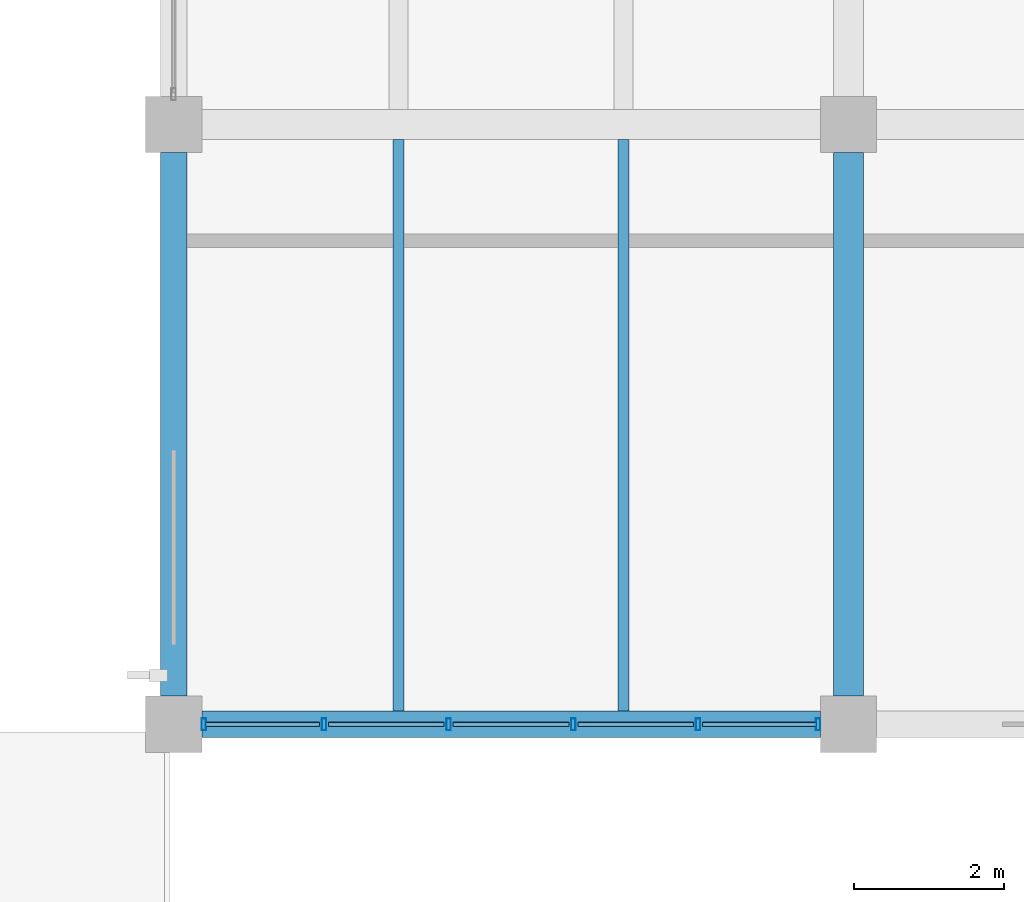
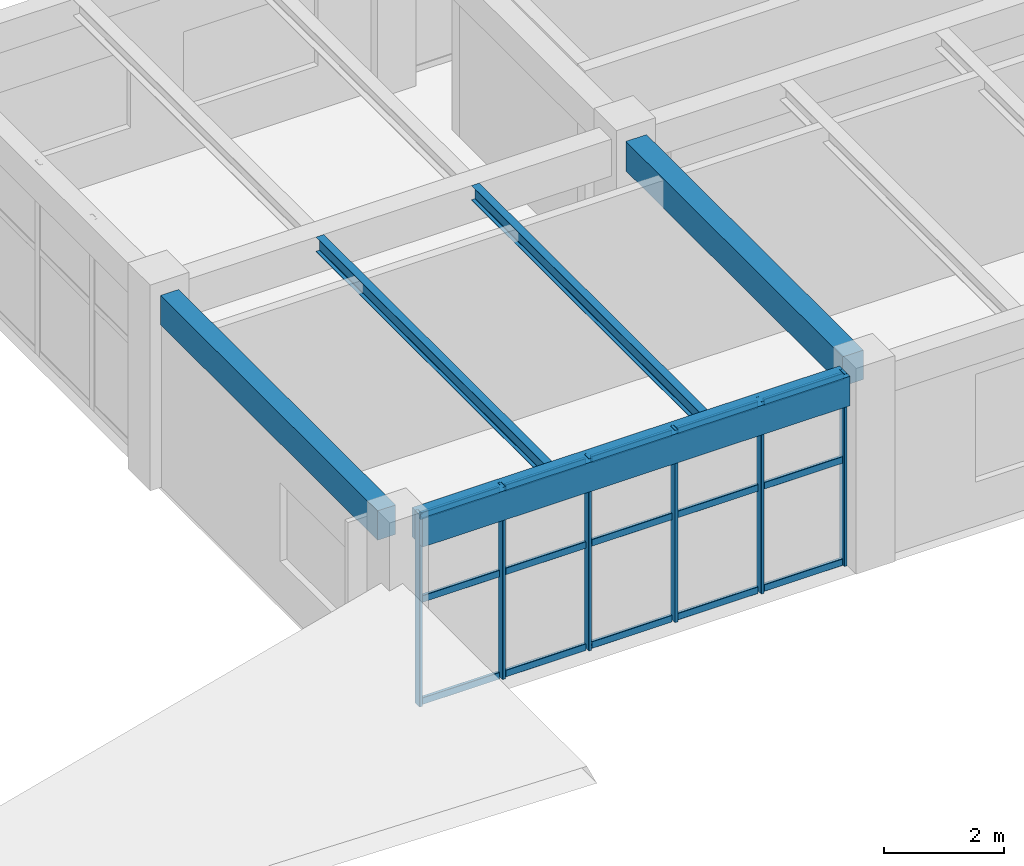
# One storey, part 80 of 148: 21 members, 5 beams, 1 element without a shape of its own.
"""IFC4 building model written with IfcOpenShell, lengths in metres."""

from ifc_helpers import new_model, si_unit, derived_unit, direction, frame, origin, origin_2d, place, context, subcontext, project, spatial, rectangle, hollow_rectangle, i_section, extrude, material, material_profile, profile_set, type_object, element, aggregate, save


model = new_model("IFC4")

# Units and contexts
model_context = context("Model", 3, precision=1e-05, world=origin(), true_north=direction((0.0, 1.0)))
body_context = subcontext(model_context, "Body", "Model", "MODEL_VIEW")
ifc_project = project(units=[si_unit("LENGTHUNIT", "METRE"), si_unit("AREAUNIT", "SQUARE_METRE"), si_unit("VOLUMEUNIT", "CUBIC_METRE"), si_unit("PLANEANGLEUNIT", "RADIAN"), si_unit("MASSUNIT", "GRAM", prefix="KILO"), derived_unit("THERMALTRANSMITTANCEUNIT", [(si_unit("MASSUNIT", "GRAM", prefix="KILO"), 1), (si_unit("TIMEUNIT", "SECOND"), -3), (si_unit("THERMODYNAMICTEMPERATUREUNIT", "KELVIN"), -1)])], contexts=[model_context])

# Site, building, storey
site_placement = place(None, origin())
site = spatial("IfcSite", under=ifc_project, at=site_placement, CompositionType="ELEMENT")
building_placement = place(site_placement, origin())
building = spatial("IfcBuilding", under=site, at=building_placement, Name="Zhenchuan Archway Interchange", CompositionType="ELEMENT")
storey_placement = place(building_placement, frame((0.0, 0.0, 10.199951171875)))
storey = spatial("IfcBuildingStorey", under=building, at=storey_placement, Name="L02", CompositionType="ELEMENT", Elevation=10.199951171875)

# Beam
ifc_material_1 = material(Name="Concrete C40", Category="concrete")
ifc_material_profile_1 = material_profile(ifc_material_1, rectangle(XDim=0.39990234375, YDim=0.60009765625, at=origin_2d()), Name="RC 400x600")
ifc_profile_set_1 = profile_set([ifc_material_profile_1], Name="Concrete C40")
beam_type_1 = type_object("IfcBeamType", Name="BM_RC_400x600", PredefinedType="BEAM", material=ifc_profile_set_1)
beam_1_placement = place(storey_placement, frame((117.0, 88.375, 3.6201171875), z_axis=(0.0, 1.0, 0.0), x_axis=(-1.0, 0.0, 0.0)))
element("IfcBeam", 1, at=beam_1_placement, inside=storey, type_object=beam_type_1, Name="Beam 14:M-N (L02)", PredefinedType="BEAM", context=body_context, shape_type="SweptSolid", body=[
    extrude(rectangle(XDim=0.39990234375, YDim=0.60009765625, at=origin_2d()), origin(), (0.0, 0.0, 1.0), 7.25),
])

# Curtain wall, members
ifc_material_2 = material(Name="Anodised Aluminium", Category="aluminium")
curtain_wall_type = type_object("IfcCurtainWallType", Name="CW_UNIT_3", PredefinedType="NOTDEFINED", material=ifc_material_2)
curtain_wall_placement = place(storey_placement, origin())
curtain_wall = element("IfcCurtainWall", 2, at=curtain_wall_placement, inside=storey, type_object=curtain_wall_type, Name="Unitised curtain wall CW:L02:146", PredefinedType="NOTDEFINED")
ifc_material_profile_2 = material_profile(ifc_material_2, hollow_rectangle(XDim=0.06005859375, YDim=0.159912109375, WallThickness=0.00390625, InnerFilletRadius=0.00390625, OuterFilletRadius=0.008056640625, at=origin_2d()), Name="ALU 160x60x4")
ifc_profile_set_2 = profile_set([ifc_material_profile_2], Name="Anodised Aluminium")
member_type_1 = type_object("IfcMemberType", Name="CW_MUL_150", PredefinedType="MULLION", material=ifc_profile_set_2)
member_1_placement = place(storey_placement, frame((116.596923828125, 88.0, 0.0), z_axis=(0.0, 0.0, 1.0), x_axis=(1.0, 0.0, 0.0)))
member_1 = element("IfcMember", 3, at=member_1_placement, type_object=member_type_1, Name="CW:L02:146 mullion 0", PredefinedType="MULLION", context=body_context, shape_type="SweptSolid", body=[
    extrude(hollow_rectangle(XDim=0.06005859375, YDim=0.159912109375, WallThickness=0.00390625, InnerFilletRadius=0.00390625, OuterFilletRadius=0.008056640625, at=origin_2d()), origin(), (0.0, 0.0, 1.0), 3.920166015625),
])
member_2_placement = place(storey_placement, frame((114.994140625, 88.0, 0.0), z_axis=(0.0, 0.0, 1.0), x_axis=(1.0, 0.0, 0.0)))
member_2 = element("IfcMember", 4, at=member_2_placement, type_object=member_type_1, Name="CW:L02:146 mullion 1", PredefinedType="MULLION", context=body_context, shape_type="SweptSolid", body=[
    extrude(hollow_rectangle(XDim=0.06005859375, YDim=0.159912109375, WallThickness=0.00390625, InnerFilletRadius=0.00390625, OuterFilletRadius=0.008056640625, at=origin_2d()), origin(), (0.0, 0.0, 1.0), 3.920166015625),
])
member_3_placement = place(storey_placement, frame((113.331298828125, 88.0, 0.0), z_axis=(0.0, 0.0, 1.0), x_axis=(1.0, 0.0, 0.0)))
member_3 = element("IfcMember", 5, at=member_3_placement, type_object=member_type_1, Name="CW:L02:146 mullion 2", PredefinedType="MULLION", context=body_context, shape_type="SweptSolid", body=[
    extrude(hollow_rectangle(XDim=0.06005859375, YDim=0.159912109375, WallThickness=0.00390625, InnerFilletRadius=0.00390625, OuterFilletRadius=0.008056640625, at=origin_2d()), origin(), (0.0, 0.0, 1.0), 3.920166015625),
])
member_4_placement = place(storey_placement, frame((111.668701171875, 88.0, 0.0), z_axis=(0.0, 0.0, 1.0), x_axis=(1.0, 0.0, 0.0)))
member_4 = element("IfcMember", 6, at=member_4_placement, type_object=member_type_1, Name="CW:L02:146 mullion 3", PredefinedType="MULLION", context=body_context, shape_type="SweptSolid", body=[
    extrude(hollow_rectangle(XDim=0.06005859375, YDim=0.159912109375, WallThickness=0.00390625, InnerFilletRadius=0.00390625, OuterFilletRadius=0.008056640625, at=origin_2d()), origin(), (0.0, 0.0, 1.0), 3.920166015625),
])
member_5_placement = place(storey_placement, frame((110.005859375, 88.0, 0.0), z_axis=(0.0, 0.0, 1.0), x_axis=(1.0, 0.0, 0.0)))
member_5 = element("IfcMember", 7, at=member_5_placement, type_object=member_type_1, Name="CW:L02:146 mullion 4", PredefinedType="MULLION", context=body_context, shape_type="SweptSolid", body=[
    extrude(hollow_rectangle(XDim=0.06005859375, YDim=0.159912109375, WallThickness=0.00390625, InnerFilletRadius=0.00390625, OuterFilletRadius=0.008056640625, at=origin_2d()), origin(), (0.0, 0.0, 1.0), 3.920166015625),
])
member_6_placement = place(storey_placement, frame((108.403076171875, 88.0, 0.0), z_axis=(0.0, 0.0, 1.0), x_axis=(1.0, 0.0, 0.0)))
member_6 = element("IfcMember", 8, at=member_6_placement, type_object=member_type_1, Name="CW:L02:146 mullion 5", PredefinedType="MULLION", context=body_context, shape_type="SweptSolid", body=[
    extrude(hollow_rectangle(XDim=0.06005859375, YDim=0.159912109375, WallThickness=0.00390625, InnerFilletRadius=0.00390625, OuterFilletRadius=0.008056640625, at=origin_2d()), origin(), (0.0, 0.0, 1.0), 3.920166015625),
])
ifc_material_profile_3 = material_profile(ifc_material_2, hollow_rectangle(XDim=0.06005859375, YDim=0.139892578125, WallThickness=0.00341796875, InnerFilletRadius=0.00341796875, OuterFilletRadius=0.007080078125, at=origin_2d()), Name="ALU 140x60x3.5")
ifc_profile_set_3 = profile_set([ifc_material_profile_3], Name="Anodised Aluminium")
member_type_2 = type_object("IfcMemberType", Name="CW_TRN_140", PredefinedType="USERDEFINED", material=ifc_profile_set_3)
member_7_placement = place(storey_placement, frame((116.576904296875, 88.0, 0.06005859375), z_axis=(-1.0, 0.0, 0.0), x_axis=(0.0, -1.0, 0.0)))
member_7 = element("IfcMember", 9, at=member_7_placement, type_object=member_type_2, Name="CW:L02:146 transom 0-1", ObjectType="TRANSOM", PredefinedType="USERDEFINED", context=body_context, shape_type="SweptSolid", body=[
    extrude(hollow_rectangle(XDim=0.06005859375, YDim=0.139892578125, WallThickness=0.00341796875, InnerFilletRadius=0.00341796875, OuterFilletRadius=0.007080078125, at=origin_2d()), origin(), (0.0, 0.0, 1.0), 1.522705078125),
])
member_8_placement = place(storey_placement, frame((116.576904296875, 88.0, 2.14501953125), z_axis=(-1.0, 0.0, 0.0), x_axis=(0.0, -1.0, 0.0)))
member_8 = element("IfcMember", 10, at=member_8_placement, type_object=member_type_2, Name="CW:L02:146 transom 0-2", ObjectType="TRANSOM", PredefinedType="USERDEFINED", context=body_context, shape_type="SweptSolid", body=[
    extrude(hollow_rectangle(XDim=0.06005859375, YDim=0.139892578125, WallThickness=0.00341796875, InnerFilletRadius=0.00341796875, OuterFilletRadius=0.007080078125, at=origin_2d()), origin(), (0.0, 0.0, 1.0), 1.522705078125),
])
member_9_placement = place(storey_placement, frame((116.576904296875, 88.0, 3.840087890625), z_axis=(-1.0, 0.0, 0.0), x_axis=(0.0, -1.0, 0.0)))
member_9 = element("IfcMember", 11, at=member_9_placement, type_object=member_type_2, Name="CW:L02:146 transom 0-3", ObjectType="TRANSOM", PredefinedType="USERDEFINED", context=body_context, shape_type="SweptSolid", body=[
    extrude(hollow_rectangle(XDim=0.06005859375, YDim=0.139892578125, WallThickness=0.00341796875, InnerFilletRadius=0.00341796875, OuterFilletRadius=0.007080078125, at=origin_2d()), origin(), (0.0, 0.0, 1.0), 1.522705078125),
])
member_10_placement = place(storey_placement, frame((114.93408203125, 88.0, 0.06005859375), z_axis=(-1.0, 0.0, 0.0), x_axis=(0.0, -1.0, 0.0)))
member_10 = element("IfcMember", 12, at=member_10_placement, type_object=member_type_2, Name="CW:L02:146 transom 1-1", ObjectType="TRANSOM", PredefinedType="USERDEFINED", context=body_context, shape_type="SweptSolid", body=[
    extrude(hollow_rectangle(XDim=0.06005859375, YDim=0.139892578125, WallThickness=0.00341796875, InnerFilletRadius=0.00341796875, OuterFilletRadius=0.007080078125, at=origin_2d()), origin(), (0.0, 0.0, 1.0), 1.542724609375),
])
member_11_placement = place(storey_placement, frame((114.93408203125, 88.0, 2.14501953125), z_axis=(-1.0, 0.0, 0.0), x_axis=(0.0, -1.0, 0.0)))
member_11 = element("IfcMember", 13, at=member_11_placement, type_object=member_type_2, Name="CW:L02:146 transom 1-2", ObjectType="TRANSOM", PredefinedType="USERDEFINED", context=body_context, shape_type="SweptSolid", body=[
    extrude(hollow_rectangle(XDim=0.06005859375, YDim=0.139892578125, WallThickness=0.00341796875, InnerFilletRadius=0.00341796875, OuterFilletRadius=0.007080078125, at=origin_2d()), origin(), (0.0, 0.0, 1.0), 1.542724609375),
])
member_12_placement = place(storey_placement, frame((114.93408203125, 88.0, 3.840087890625), z_axis=(-1.0, 0.0, 0.0), x_axis=(0.0, -1.0, 0.0)))
member_12 = element("IfcMember", 14, at=member_12_placement, type_object=member_type_2, Name="CW:L02:146 transom 1-3", ObjectType="TRANSOM", PredefinedType="USERDEFINED", context=body_context, shape_type="SweptSolid", body=[
    extrude(hollow_rectangle(XDim=0.06005859375, YDim=0.139892578125, WallThickness=0.00341796875, InnerFilletRadius=0.00341796875, OuterFilletRadius=0.007080078125, at=origin_2d()), origin(), (0.0, 0.0, 1.0), 1.542724609375),
])
member_13_placement = place(storey_placement, frame((113.271484375, 88.0, 0.06005859375), z_axis=(-1.0, 0.0, 0.0), x_axis=(0.0, -1.0, 0.0)))
member_13 = element("IfcMember", 15, at=member_13_placement, type_object=member_type_2, Name="CW:L02:146 transom 2-1", ObjectType="TRANSOM", PredefinedType="USERDEFINED", context=body_context, shape_type="SweptSolid", body=[
    extrude(hollow_rectangle(XDim=0.06005859375, YDim=0.139892578125, WallThickness=0.00341796875, InnerFilletRadius=0.00341796875, OuterFilletRadius=0.007080078125, at=origin_2d()), origin(), (0.0, 0.0, 1.0), 1.54296875),
])
member_14_placement = place(storey_placement, frame((113.271484375, 88.0, 2.14501953125), z_axis=(-1.0, 0.0, 0.0), x_axis=(0.0, -1.0, 0.0)))
member_14 = element("IfcMember", 16, at=member_14_placement, type_object=member_type_2, Name="CW:L02:146 transom 2-2", ObjectType="TRANSOM", PredefinedType="USERDEFINED", context=body_context, shape_type="SweptSolid", body=[
    extrude(hollow_rectangle(XDim=0.06005859375, YDim=0.139892578125, WallThickness=0.00341796875, InnerFilletRadius=0.00341796875, OuterFilletRadius=0.007080078125, at=origin_2d()), origin(), (0.0, 0.0, 1.0), 1.54296875),
])
member_15_placement = place(storey_placement, frame((113.271484375, 88.0, 3.840087890625), z_axis=(-1.0, 0.0, 0.0), x_axis=(0.0, -1.0, 0.0)))
member_15 = element("IfcMember", 17, at=member_15_placement, type_object=member_type_2, Name="CW:L02:146 transom 2-3", ObjectType="TRANSOM", PredefinedType="USERDEFINED", context=body_context, shape_type="SweptSolid", body=[
    extrude(hollow_rectangle(XDim=0.06005859375, YDim=0.139892578125, WallThickness=0.00341796875, InnerFilletRadius=0.00341796875, OuterFilletRadius=0.007080078125, at=origin_2d()), origin(), (0.0, 0.0, 1.0), 1.54296875),
])
member_16_placement = place(storey_placement, frame((111.608642578125, 88.0, 0.06005859375), z_axis=(-1.0, 0.0, 0.0), x_axis=(0.0, -1.0, 0.0)))
member_16 = element("IfcMember", 18, at=member_16_placement, type_object=member_type_2, Name="CW:L02:146 transom 3-1", ObjectType="TRANSOM", PredefinedType="USERDEFINED", context=body_context, shape_type="SweptSolid", body=[
    extrude(hollow_rectangle(XDim=0.06005859375, YDim=0.139892578125, WallThickness=0.00341796875, InnerFilletRadius=0.00341796875, OuterFilletRadius=0.007080078125, at=origin_2d()), origin(), (0.0, 0.0, 1.0), 1.542724609375),
])
member_17_placement = place(storey_placement, frame((111.608642578125, 88.0, 2.14501953125), z_axis=(-1.0, 0.0, 0.0), x_axis=(0.0, -1.0, 0.0)))
member_17 = element("IfcMember", 19, at=member_17_placement, type_object=member_type_2, Name="CW:L02:146 transom 3-2", ObjectType="TRANSOM", PredefinedType="USERDEFINED", context=body_context, shape_type="SweptSolid", body=[
    extrude(hollow_rectangle(XDim=0.06005859375, YDim=0.139892578125, WallThickness=0.00341796875, InnerFilletRadius=0.00341796875, OuterFilletRadius=0.007080078125, at=origin_2d()), origin(), (0.0, 0.0, 1.0), 1.542724609375),
])
member_18_placement = place(storey_placement, frame((111.608642578125, 88.0, 3.840087890625), z_axis=(-1.0, 0.0, 0.0), x_axis=(0.0, -1.0, 0.0)))
member_18 = element("IfcMember", 20, at=member_18_placement, type_object=member_type_2, Name="CW:L02:146 transom 3-3", ObjectType="TRANSOM", PredefinedType="USERDEFINED", context=body_context, shape_type="SweptSolid", body=[
    extrude(hollow_rectangle(XDim=0.06005859375, YDim=0.139892578125, WallThickness=0.00341796875, InnerFilletRadius=0.00341796875, OuterFilletRadius=0.007080078125, at=origin_2d()), origin(), (0.0, 0.0, 1.0), 1.542724609375),
])
member_19_placement = place(storey_placement, frame((109.94580078125, 88.0, 0.06005859375), z_axis=(-1.0, 0.0, 0.0), x_axis=(0.0, -1.0, 0.0)))
member_19 = element("IfcMember", 21, at=member_19_placement, type_object=member_type_2, Name="CW:L02:146 transom 4-1", ObjectType="TRANSOM", PredefinedType="USERDEFINED", context=body_context, shape_type="SweptSolid", body=[
    extrude(hollow_rectangle(XDim=0.06005859375, YDim=0.139892578125, WallThickness=0.00341796875, InnerFilletRadius=0.00341796875, OuterFilletRadius=0.007080078125, at=origin_2d()), origin(), (0.0, 0.0, 1.0), 1.522705078125),
])
member_20_placement = place(storey_placement, frame((109.94580078125, 88.0, 2.14501953125), z_axis=(-1.0, 0.0, 0.0), x_axis=(0.0, -1.0, 0.0)))
member_20 = element("IfcMember", 22, at=member_20_placement, type_object=member_type_2, Name="CW:L02:146 transom 4-2", ObjectType="TRANSOM", PredefinedType="USERDEFINED", context=body_context, shape_type="SweptSolid", body=[
    extrude(hollow_rectangle(XDim=0.06005859375, YDim=0.139892578125, WallThickness=0.00341796875, InnerFilletRadius=0.00341796875, OuterFilletRadius=0.007080078125, at=origin_2d()), origin(), (0.0, 0.0, 1.0), 1.522705078125),
])
member_21_placement = place(storey_placement, frame((109.94580078125, 88.0, 3.840087890625), z_axis=(-1.0, 0.0, 0.0), x_axis=(0.0, -1.0, 0.0)))
member_21 = element("IfcMember", 23, at=member_21_placement, type_object=member_type_2, Name="CW:L02:146 transom 4-3", ObjectType="TRANSOM", PredefinedType="USERDEFINED", context=body_context, shape_type="SweptSolid", body=[
    extrude(hollow_rectangle(XDim=0.06005859375, YDim=0.139892578125, WallThickness=0.00341796875, InnerFilletRadius=0.00341796875, OuterFilletRadius=0.007080078125, at=origin_2d()), origin(), (0.0, 0.0, 1.0), 1.522705078125),
])
aggregate(curtain_wall, [member_1, member_2, member_3, member_4, member_5, member_6, member_7, member_8, member_9, member_10, member_11, member_12, member_13, member_14, member_15, member_16, member_17, member_18, member_19, member_20, member_21])

# Beams
ifc_material_3 = material(Name="Steel Q355", Category="steel")
ifc_material_profile_4 = material_profile(ifc_material_3, i_section(OverallWidth=0.14990234375, OverallDepth=0.300048828125, WebThickness=0.006591796875, FlangeThickness=0.009033203125, FilletRadius=0.012939453125, at=origin_2d()), Name="HN 300x150")
ifc_profile_set_4 = profile_set([ifc_material_profile_4], Name="Steel Q355")
beam_type_2 = type_object("IfcBeamType", Name="JST_STL_HN300", PredefinedType="JOIST", material=ifc_profile_set_4)
for number, where, z_axis, x_axis, name in (
    (24, (111.0, 88.175048828125, 3.77001953125), (0.0, 1.0, 0.0), (-1.0, 0.0, 0.0), "Secondary joist 13-14/M-N #1 (L02)"),
    (25, (114.0, 88.175048828125, 3.77001953125), (0.0, 1.0, 0.0), (-1.0, 0.0, 0.0), "Secondary joist 13-14/M-N #2 (L02)"),
):
    element("IfcBeam", number, at=place(storey_placement, frame(where, z_axis=z_axis, x_axis=x_axis)), inside=storey, type_object=beam_type_2, Name=name, PredefinedType="JOIST", context=body_context, shape_type="SweptSolid", body=[
        extrude(i_section(OverallWidth=0.14990234375, OverallDepth=0.300048828125, WebThickness=0.006591796875, FlangeThickness=0.009033203125, FilletRadius=0.012939453125, at=origin_2d()), origin(), (0.0, 0.0, 1.0), 7.625),
    ])
ifc_material_profile_5 = material_profile(ifc_material_1, rectangle(XDim=0.35009765625, YDim=0.60009765625, at=origin_2d()), Name="RC 350x600")
ifc_profile_set_5 = profile_set([ifc_material_profile_5], Name="Concrete C40")
beam_type_3 = type_object("IfcBeamType", Name="SP_RC_350x600", PredefinedType="SPANDREL", material=ifc_profile_set_5)
beam_2_placement = place(storey_placement, frame((108.375, 88.0, 3.6201171875), z_axis=(1.0, 0.0, 0.0), x_axis=(0.0, 1.0, 0.0)))
element("IfcBeam", 26, at=beam_2_placement, inside=storey, type_object=beam_type_3, Name="Beam M:13-14 (L02)", PredefinedType="SPANDREL", context=body_context, shape_type="SweptSolid", body=[
    extrude(rectangle(XDim=0.35009765625, YDim=0.60009765625, at=origin_2d()), origin(), (0.0, 0.0, 1.0), 8.25),
])
beam_3_placement = place(storey_placement, frame((108.0, 88.375, 3.6201171875), z_axis=(0.0, 1.0, 0.0), x_axis=(-1.0, 0.0, 0.0)))
element("IfcBeam", 27, at=beam_3_placement, inside=storey, type_object=beam_type_3, Name="Beam 13:M-N (L02)", PredefinedType="SPANDREL", context=body_context, shape_type="SweptSolid", body=[
    extrude(rectangle(XDim=0.35009765625, YDim=0.60009765625, at=origin_2d()), origin(), (0.0, 0.0, 1.0), 7.25),
])

save(model, "model.ifc")
